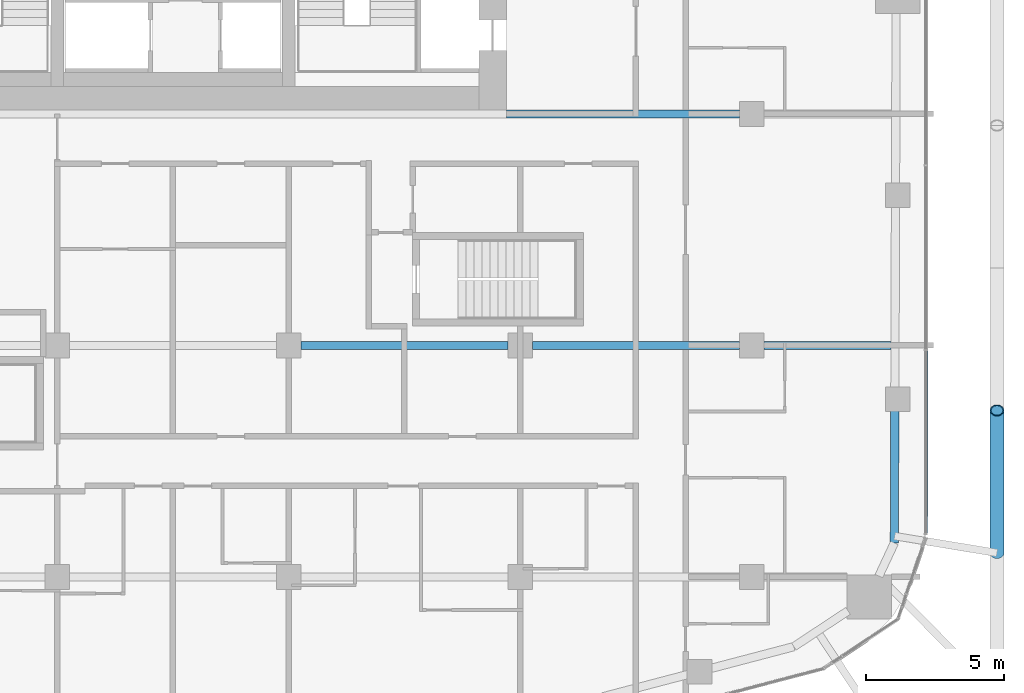
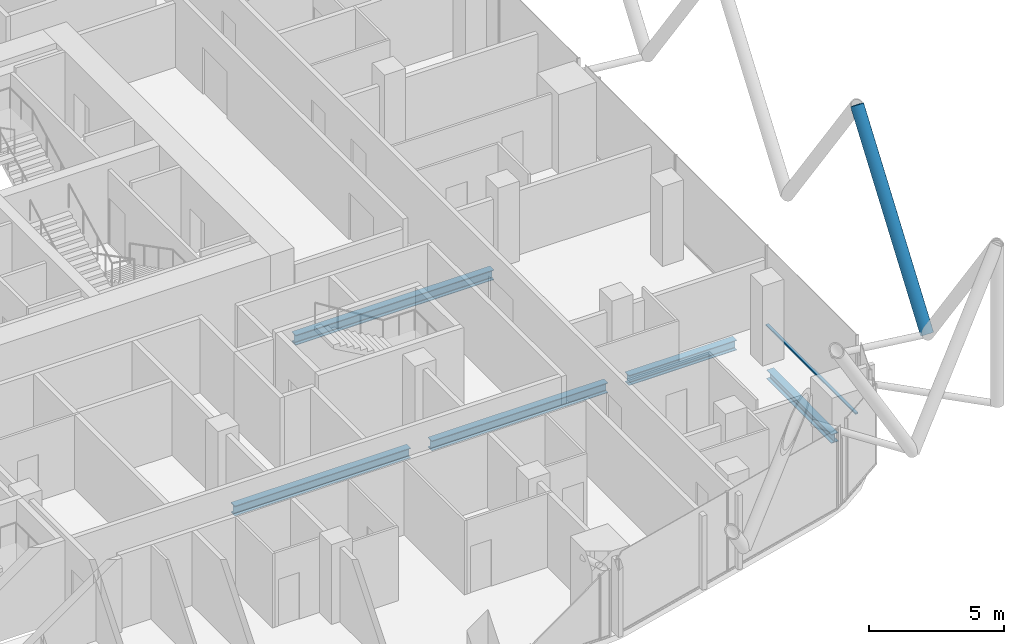
# One storey, part 7 of 36: 5 beams, 2 members, 1 element without a shape of its own.
"""IFC4 building model written with IfcOpenShell, lengths in metres."""

from ifc_helpers import new_model, si_unit, direction, frame, origin, origin_2d, place, context, subcontext, project, spatial, rectangle, hollow_circle, i_section, extrude, material, layer, layer_set, material_profile, profile_set, type_object, element, aggregate, save


model = new_model("IFC4")

# Units and contexts
model_context = context("Model", 3, precision=1e-05, world=origin(), true_north=direction((0.0, 1.0)))
body_context = subcontext(model_context, "Body", "Model", "MODEL_VIEW")
ifc_project = project(units=[si_unit("LENGTHUNIT", "METRE"), si_unit("AREAUNIT", "SQUARE_METRE"), si_unit("VOLUMEUNIT", "CUBIC_METRE"), si_unit("PLANEANGLEUNIT", "RADIAN"), si_unit("MASSUNIT", "GRAM", prefix="KILO")], contexts=[model_context])

# Site, building, storey
site_placement = place(None, origin())
site = spatial("IfcSite", under=ifc_project, at=site_placement, CompositionType="ELEMENT")
building_placement = place(site_placement, origin())
building = spatial("IfcBuilding", under=site, at=building_placement, Name="Marenta Gate Hotel Tower", CompositionType="ELEMENT")
storey_placement = place(building_placement, frame((0.0, 0.0, 158.89990234375)))
storey = spatial("IfcBuildingStorey", under=building, at=storey_placement, Name="L37", CompositionType="ELEMENT", Elevation=158.89990234375)

# Member
ifc_material_1 = material(Name="Steel S355J2W", Category="steel")
ifc_material_profile_1 = material_profile(ifc_material_1, hollow_circle(Radius=0.25390625, WallThickness=0.0400390625, at=origin_2d()), Name="CHS 508x40")
ifc_profile_set_1 = profile_set([ifc_material_profile_1], Name="Steel S355J2W")
member_type_1 = type_object("IfcMemberType", Name="Diagrid diagonal Z2 CHS 508x40", PredefinedType="BRACE", material=ifc_profile_set_1)
member_1_placement = place(storey_placement, frame((29.89990234375, -15.93017578125, 3.14013671875), z_axis=(0.0, 0.583279014058, 0.812271870595), x_axis=(-1.0, 0.0, 0.0)))
element("IfcMember", 1, at=member_1_placement, inside=storey, type_object=member_type_1, Name="L37-DG-9", PredefinedType="BRACE", context=body_context, shape_type="SweptSolid", body=[
    extrude(hollow_circle(Radius=0.25390625, WallThickness=0.0400390625, at=origin_2d()), origin(), (0.0, 0.0, 1.0), 8.864013671875),
])

# Beams
ifc_material_2 = material(Name="Steel S355", Category="steel")
ifc_material_profile_2 = material_profile(ifc_material_2, i_section(OverallWidth=0.300048828125, OverallDepth=0.39990234375, WebThickness=0.013427734375, FlangeThickness=0.02392578125, FilletRadius=0.027099609375, at=origin_2d()), Name="HEB 400")
ifc_profile_set_2 = profile_set([ifc_material_profile_2], Name="Steel S355")
beam_type_1 = type_object("IfcBeamType", Name="Edge beam HEB 400", PredefinedType="SPANDREL", material=ifc_profile_set_2)
beam_1_placement = place(storey_placement, frame((26.191162109375, -10.761962890625, -0.4599609375), z_axis=(-0.003353298899, -0.999994377677, 0.0), x_axis=(0.999994377677, -0.003353298899, 0.0)))
element("IfcBeam", 2, at=beam_1_placement, inside=storey, type_object=beam_type_1, Name="L37-EB-27", PredefinedType="SPANDREL", context=body_context, shape_type="SweptSolid", body=[
    extrude(i_section(OverallWidth=0.300048828125, OverallDepth=0.39990234375, WebThickness=0.013427734375, FlangeThickness=0.02392578125, FilletRadius=0.027099609375, at=origin_2d()), origin(), (0.0, 0.0, 1.0), 4.80517578125),
])
ifc_material_3 = material(Name="Steel S355", Category="steel")
ifc_material_profile_3 = material_profile(ifc_material_3, i_section(OverallWidth=0.300048828125, OverallDepth=0.449951171875, WebThickness=0.013916015625, FlangeThickness=0.02587890625, FilletRadius=0.027099609375, at=origin_2d()), Name="HEB 450")
ifc_profile_set_3 = profile_set([ifc_material_profile_3], Name="Steel S355")
beam_type_2 = type_object("IfcBeamType", Name="Girder HEB 450", PredefinedType="BEAM", material=ifc_profile_set_3)
for number, where, z_axis, x_axis, name in (
    (3, (4.64990234375, -8.39990234375, -0.48486328125), (1.0, 0.0, 0.0), (0.0, 1.0, 0.0), "L37-GD-12"),
    (4, (13.050048828125, -8.39990234375, -0.48486328125), (1.0, 0.0, 0.0), (0.0, 1.0, 0.0), "L37-GD-13"),
):
    element("IfcBeam", number, at=place(storey_placement, frame(where, z_axis=z_axis, x_axis=x_axis)), inside=storey, type_object=beam_type_2, Name=name, PredefinedType="BEAM", context=body_context, shape_type="SweptSolid", body=[
        extrude(i_section(OverallWidth=0.300048828125, OverallDepth=0.449951171875, WebThickness=0.013916015625, FlangeThickness=0.02587890625, FilletRadius=0.027099609375, at=origin_2d()), origin(), (0.0, 0.0, 1.0), 7.5),
    ])
beam_2_placement = place(storey_placement, frame((21.449951171875, -8.39990234375, -0.48486328125), z_axis=(1.0, 0.0, 0.0), x_axis=(0.0, 1.0, 0.0)))
element("IfcBeam", 5, at=beam_2_placement, inside=storey, type_object=beam_type_2, Name="L37-GD-14", PredefinedType="BEAM", context=body_context, shape_type="SweptSolid", body=[
    extrude(i_section(OverallWidth=0.300048828125, OverallDepth=0.449951171875, WebThickness=0.013916015625, FlangeThickness=0.02587890625, FilletRadius=0.027099609375, at=origin_2d()), origin(), (0.0, 0.0, 1.0), 4.59912109375),
])
beam_3_placement = place(storey_placement, frame((12.10009765625, 0.0, -0.48486328125), z_axis=(1.0, 0.0, 0.0), x_axis=(0.0, 1.0, 0.0)))
element("IfcBeam", 6, at=beam_3_placement, inside=storey, type_object=beam_type_2, Name="L37-GD-18", PredefinedType="BEAM", context=body_context, shape_type="SweptSolid", body=[
    extrude(i_section(OverallWidth=0.300048828125, OverallDepth=0.449951171875, WebThickness=0.013916015625, FlangeThickness=0.02587890625, FilletRadius=0.027099609375, at=origin_2d()), origin(), (0.0, 0.0, 1.0), 8.449951171875),
])

# Curtain wall, member
ifc_material_4 = material(Name="Tinted insulated glass in bronze anodised frame", Category="glass")
ifc_layer = layer(ifc_material_4, 0.1201171875)
ifc_layer_set = layer_set([ifc_layer], Name="Tinted insulated glass in bronze anodised frame")
curtain_wall_type = type_object("IfcCurtainWallType", Name="Tower unitised curtain wall CW1", PredefinedType="NOTDEFINED", material=ifc_layer_set)
curtain_wall_placement = place(storey_placement, origin())
curtain_wall = element("IfcCurtainWall", 7, at=curtain_wall_placement, inside=storey, type_object=curtain_wall_type, Name="CW1 run G33", PredefinedType="NOTDEFINED")
ifc_material_5 = material(Name="Bronze anodised aluminium", Category="aluminium")
ifc_material_profile_4 = material_profile(ifc_material_5, rectangle(XDim=0.1201171875, YDim=0.06005859375, at=origin_2d()), Name="Transom CW1 60x120 bronze anodised aluminium")
ifc_profile_set_4 = profile_set([ifc_material_profile_4], Name="Bronze anodised aluminium")
member_type_2 = type_object("IfcMemberType", Name="Transom CW1 60x120 bronze anodised aluminium", PredefinedType="USERDEFINED", material=ifc_profile_set_4)
member_2_placement = place(storey_placement, frame((27.31396484375, -15.21484375, 0.030029296875), z_axis=(0.0, 1.0, 0.0), x_axis=(-1.0, 0.0, 0.0)))
member_2 = element("IfcMember", 8, at=member_2_placement, type_object=member_type_2, Name="CW1 transom 1.1", ObjectType="TRANSOM", PredefinedType="USERDEFINED", context=body_context, shape_type="SweptSolid", body=[
    extrude(rectangle(XDim=0.1201171875, YDim=0.06005859375, at=origin_2d()), origin(), (0.0, 0.0, 1.0), 6.6171875),
])
aggregate(curtain_wall, [member_2])

save(model, "model.ifc")
